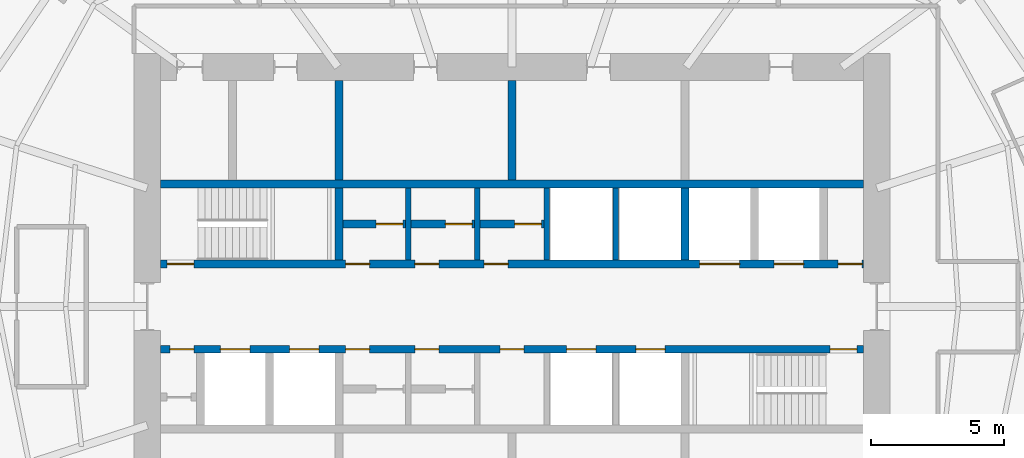
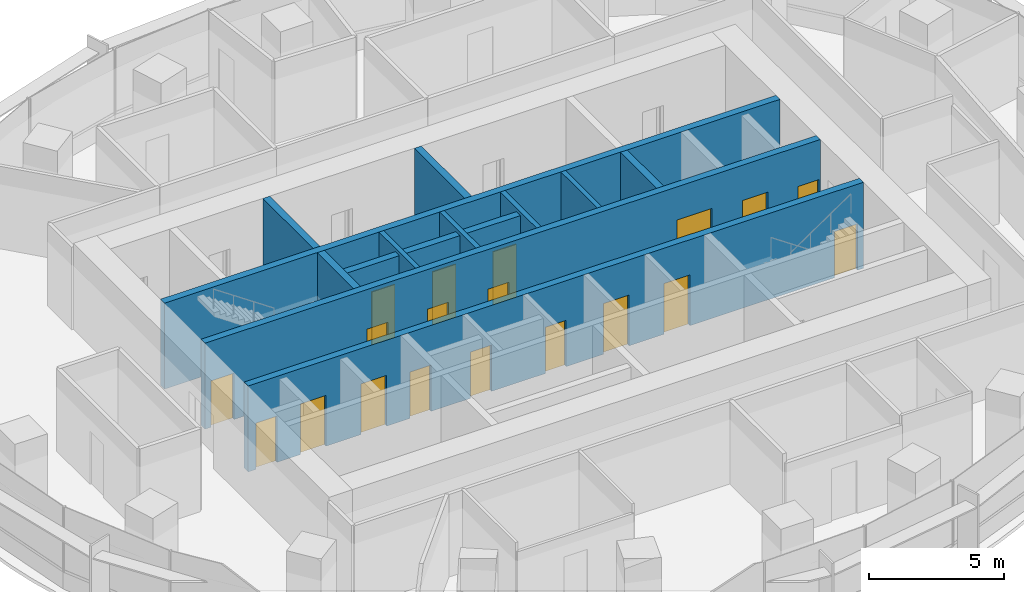
# One storey, part 11 of 15: 19 doors, 14 walls, 19 openings.
"""IFC4 building model written with IfcOpenShell, lengths in metres."""

from ifc_helpers import new_model, si_unit, direction, frame, frame_2d, origin, place, context, subcontext, project, spatial, rectangle, extrude, material, layer, layer_set, type_object, element, fill, save


model = new_model("IFC4")

# Units and contexts
model_context = context("Model", 3, precision=1e-05, world=origin(), true_north=direction((0.0, 1.0)))
body_context = subcontext(model_context, "Body", "Model", "MODEL_VIEW")
ifc_project = project(units=[si_unit("LENGTHUNIT", "METRE"), si_unit("AREAUNIT", "SQUARE_METRE"), si_unit("VOLUMEUNIT", "CUBIC_METRE"), si_unit("PLANEANGLEUNIT", "RADIAN"), si_unit("MASSUNIT", "GRAM", prefix="KILO")], contexts=[model_context])

# Site, building, storey
site_placement = place(None, origin())
site = spatial("IfcSite", under=ifc_project, at=site_placement, CompositionType="ELEMENT")
building_placement = place(site_placement, origin())
building = spatial("IfcBuilding", under=site, at=building_placement, Name="Marramba Exchange Tower", CompositionType="ELEMENT")
storey_placement = place(building_placement, frame((0.0, 0.0, 207.199951171875)))
storey = spatial("IfcBuildingStorey", under=building, at=storey_placement, Name="L50", CompositionType="ELEMENT", Elevation=207.199951171875)

# Walls
ifc_material_1 = material(Name="Concrete N50", Category="concrete")
ifc_layer_1 = layer(ifc_material_1, 0.199951171875)
ifc_layer_set_1 = layer_set([ifc_layer_1], Name="Core shaft wall 200")
wall_type_1 = type_object("IfcWallType", Name="Core shaft wall 200", PredefinedType="SHEAR", material=ifc_layer_set_1)
for number, where, z_axis, x_axis, name in (
    (1, (-3.89990234375, 1.75, 0.0), (0.0, 0.0, 1.0), (0.0, 1.0, 0.0), "Core wall SHN1 L50"),
    (2, (-1.300048828125, 1.75, 0.0), (0.0, 0.0, 1.0), (0.0, 1.0, 0.0), "Core wall SHN2 L50"),
    (3, (1.300048828125, 1.75, 0.0), (0.0, 0.0, 1.0), (0.0, 1.0, 0.0), "Core wall SHN3 L50"),
    (4, (3.89990234375, 1.75, 0.0), (0.0, 0.0, 1.0), (0.0, 1.0, 0.0), "Core wall SHN4 L50"),
):
    element("IfcWall", number, at=place(storey_placement, frame(where, z_axis=z_axis, x_axis=x_axis)), inside=storey, type_object=wall_type_1, Name=name, PredefinedType="SHEAR", context=body_context, shape_type="SweptSolid", body=[
        extrude(rectangle(XDim=2.699951171875, YDim=0.199951171875, at=frame_2d((1.35009765625, 0.0))), origin(), (0.0, 0.0, 1.0), 3.900146484375),
    ])

# Wall, openings, doors
ifc_layer_2 = layer(ifc_material_1, 0.300048828125)
ifc_layer_set_2 = layer_set([ifc_layer_2], Name="Core wall 300")
wall_type_2 = type_object("IfcWallType", Name="Core wall 300", PredefinedType="SHEAR", material=ifc_layer_set_2)
wall_1_placement = place(storey_placement, frame((-13.199951171875, 1.60009765625, 0.0), z_axis=(0.0, 0.0, 1.0), x_axis=(1.0, 0.0, 0.0)))
wall_1 = element("IfcWall", 5, at=wall_1_placement, inside=storey, type_object=wall_type_2, Name="Core wall LN L50", PredefinedType="SHEAR", context=body_context, shape_type="SweptSolid", body=[
    extrude(rectangle(XDim=26.39990234375, YDim=0.300048828125, at=frame_2d((13.199951171875, 0.0))), origin(), (0.0, 0.0, 1.0), 3.900146484375),
])
opening_1_placement = place(wall_1_placement, frame((0.25, 0.0, 0.0)))
opening_1 = element("IfcOpeningElement", 6, at=opening_1_placement, cuts=wall_1, Name="Opening D2", PredefinedType="OPENING", context=body_context, shape_type="SweptSolid", body=[
    extrude(rectangle(XDim=1.0, YDim=2.10009765625, at=frame_2d((0.5, 1.050048828125))), frame((0.0, 0.159912109375, 0.0), z_axis=(0.0, -1.0, 0.0), x_axis=(1.0, 0.0, 0.0)), (0.0, 0.0, 1.0), 0.320068359375),
])
opening_2_placement = place(wall_1_placement, frame((23.050048828125, 0.0, 0.0)))
opening_2 = element("IfcOpeningElement", 7, at=opening_2_placement, cuts=wall_1, Name="Opening LD1", PredefinedType="OPENING", context=body_context, shape_type="SweptSolid", body=[
    extrude(rectangle(XDim=1.10009765625, YDim=2.300048828125, at=frame_2d((0.550048828125, 1.14990234375))), frame((0.0, 0.159912109375, 0.0), z_axis=(0.0, -1.0, 0.0), x_axis=(1.0, 0.0, 0.0)), (0.0, 0.0, 1.0), 0.320068359375),
])
opening_3_placement = place(wall_1_placement, frame((20.25, 0.0, 0.0)))
opening_3 = element("IfcOpeningElement", 8, at=opening_3_placement, cuts=wall_1, Name="Opening LD3", PredefinedType="OPENING", context=body_context, shape_type="SweptSolid", body=[
    extrude(rectangle(XDim=1.5, YDim=2.39990234375, at=frame_2d((0.75, 1.199951171875))), frame((0.0, 0.159912109375, 0.0), z_axis=(0.0, -1.0, 0.0), x_axis=(1.0, 0.0, 0.0)), (0.0, 0.0, 1.0), 0.320068359375),
])
opening_4_placement = place(wall_1_placement, frame((6.949951171875, 0.0, 0.0)))
opening_4 = element("IfcOpeningElement", 9, at=opening_4_placement, cuts=wall_1, Name="Opening D5", PredefinedType="OPENING", context=body_context, shape_type="SweptSolid", body=[
    extrude(rectangle(XDim=0.89990234375, YDim=2.10009765625, at=frame_2d((0.449951171875, 1.050048828125))), frame((0.0, 0.159912109375, 0.0), z_axis=(0.0, -1.0, 0.0), x_axis=(1.0, 0.0, 0.0)), (0.0, 0.0, 1.0), 0.320068359375),
])
opening_5_placement = place(wall_1_placement, frame((9.550048828125, 0.0, 0.0)))
opening_5 = element("IfcOpeningElement", 10, at=opening_5_placement, cuts=wall_1, Name="Opening D5", PredefinedType="OPENING", context=body_context, shape_type="SweptSolid", body=[
    extrude(rectangle(XDim=0.89990234375, YDim=2.10009765625, at=frame_2d((0.449951171875, 1.050048828125))), frame((0.0, 0.159912109375, 0.0), z_axis=(0.0, -1.0, 0.0), x_axis=(1.0, 0.0, 0.0)), (0.0, 0.0, 1.0), 0.320068359375),
])
opening_6_placement = place(wall_1_placement, frame((12.14990234375, 0.0, 0.0)))
opening_6 = element("IfcOpeningElement", 11, at=opening_6_placement, cuts=wall_1, Name="Opening D5", PredefinedType="OPENING", context=body_context, shape_type="SweptSolid", body=[
    extrude(rectangle(XDim=0.89990234375, YDim=2.10009765625, at=frame_2d((0.449951171875, 1.050048828125))), frame((0.0, 0.159912109375, 0.0), z_axis=(0.0, -1.0, 0.0), x_axis=(1.0, 0.0, 0.0)), (0.0, 0.0, 1.0), 0.320068359375),
])
opening_7_placement = place(wall_1_placement, frame((25.449951171875, 0.0, 0.0)))
opening_7 = element("IfcOpeningElement", 12, at=opening_7_placement, cuts=wall_1, Name="Opening D5", PredefinedType="OPENING", context=body_context, shape_type="SweptSolid", body=[
    extrude(rectangle(XDim=0.89990234375, YDim=2.10009765625, at=frame_2d((0.449951171875, 1.050048828125))), frame((0.0, 0.159912109375, 0.0), z_axis=(0.0, -1.0, 0.0), x_axis=(1.0, 0.0, 0.0)), (0.0, 0.0, 1.0), 0.320068359375),
])
ifc_material_2 = material(Name="Steel-framed door", Category="steel")
door_type_1 = type_object("IfcDoorType", Name="Goods lift landing door 1500x2400", OperationType="SLIDING_TO_LEFT", PredefinedType="DOOR", material=ifc_material_2)
door_1_placement = place(opening_3_placement, origin())
door_1 = element("IfcDoor", 13, at=door_1_placement, inside=storey, type_object=door_type_1, Name="GL1 landing door L50", OperationType="SLIDING_TO_LEFT", OverallHeight=2.39990234375, OverallWidth=1.5, PredefinedType="DOOR", context=body_context, shape_type="SweptSolid", body=[
    extrude(rectangle(XDim=1.5, YDim=2.39990234375, at=frame_2d((0.75, 1.199951171875))), frame((0.0, 0.02490234375, 0.0), z_axis=(0.0, -1.0, 0.0), x_axis=(1.0, 0.0, 0.0)), (0.0, 0.0, 1.0), 0.050048828125),
])
fill(opening_3, door_1)
door_type_2 = type_object("IfcDoorType", Name="Lift landing door 1100x2300", OperationType="SLIDING_TO_LEFT", PredefinedType="DOOR", material=ifc_material_2)
door_2_placement = place(opening_2_placement, origin())
door_2 = element("IfcDoor", 14, at=door_2_placement, inside=storey, type_object=door_type_2, Name="LC3 landing door L50", OperationType="SLIDING_TO_LEFT", OverallHeight=2.300048828125, OverallWidth=1.10009765625, PredefinedType="DOOR", context=body_context, shape_type="SweptSolid", body=[
    extrude(rectangle(XDim=1.10009765625, YDim=2.300048828125, at=frame_2d((0.550048828125, 1.14990234375))), frame((0.0, 0.02490234375, 0.0), z_axis=(0.0, -1.0, 0.0), x_axis=(1.0, 0.0, 0.0)), (0.0, 0.0, 1.0), 0.050048828125),
])
fill(opening_2, door_2)
door_type_3 = type_object("IfcDoorType", Name="Service door 900x2100", OperationType="SINGLE_SWING_LEFT", PredefinedType="DOOR", material=ifc_material_2)
door_3_placement = place(opening_4_placement, origin())
door_3 = element("IfcDoor", 15, at=door_3_placement, inside=storey, type_object=door_type_3, Name="D5 switch room L50", OperationType="SINGLE_SWING_LEFT", OverallHeight=2.10009765625, OverallWidth=0.89990234375, PredefinedType="DOOR", context=body_context, shape_type="SweptSolid", body=[
    extrude(rectangle(XDim=0.89990234375, YDim=2.10009765625, at=frame_2d((0.449951171875, 1.050048828125))), frame((0.0, 0.02490234375, 0.0), z_axis=(0.0, -1.0, 0.0), x_axis=(1.0, 0.0, 0.0)), (0.0, 0.0, 1.0), 0.050048828125),
])
fill(opening_4, door_3)
door_4_placement = place(opening_5_placement, origin())
door_4 = element("IfcDoor", 16, at=door_4_placement, inside=storey, type_object=door_type_3, Name="D5 cleaner store L50", OperationType="SINGLE_SWING_LEFT", OverallHeight=2.10009765625, OverallWidth=0.89990234375, PredefinedType="DOOR", context=body_context, shape_type="SweptSolid", body=[
    extrude(rectangle(XDim=0.89990234375, YDim=2.10009765625, at=frame_2d((0.449951171875, 1.050048828125))), frame((0.0, 0.02490234375, 0.0), z_axis=(0.0, -1.0, 0.0), x_axis=(1.0, 0.0, 0.0)), (0.0, 0.0, 1.0), 0.050048828125),
])
fill(opening_5, door_4)
door_5_placement = place(opening_6_placement, origin())
door_5 = element("IfcDoor", 17, at=door_5_placement, inside=storey, type_object=door_type_3, Name="D5 general store L50", OperationType="SINGLE_SWING_LEFT", OverallHeight=2.10009765625, OverallWidth=0.89990234375, PredefinedType="DOOR", context=body_context, shape_type="SweptSolid", body=[
    extrude(rectangle(XDim=0.89990234375, YDim=2.10009765625, at=frame_2d((0.449951171875, 1.050048828125))), frame((0.0, 0.02490234375, 0.0), z_axis=(0.0, -1.0, 0.0), x_axis=(1.0, 0.0, 0.0)), (0.0, 0.0, 1.0), 0.050048828125),
])
fill(opening_6, door_5)
door_6_placement = place(opening_7_placement, origin())
door_6 = element("IfcDoor", 18, at=door_6_placement, inside=storey, type_object=door_type_3, Name="D5 riser L50", OperationType="SINGLE_SWING_RIGHT", OverallHeight=2.10009765625, OverallWidth=0.89990234375, PredefinedType="DOOR", context=body_context, shape_type="SweptSolid", body=[
    extrude(rectangle(XDim=0.89990234375, YDim=2.10009765625, at=frame_2d((0.449951171875, 1.050048828125))), frame((0.0, 0.02490234375, 0.0), z_axis=(0.0, -1.0, 0.0), x_axis=(1.0, 0.0, 0.0)), (0.0, 0.0, 1.0), 0.050048828125),
])
fill(opening_7, door_6)
door_type_4 = type_object("IfcDoorType", Name="Stair door 1000x2100", OperationType="SINGLE_SWING_LEFT", PredefinedType="DOOR", material=ifc_material_2)
door_7_placement = place(opening_1_placement, origin())
door_7 = element("IfcDoor", 19, at=door_7_placement, inside=storey, type_object=door_type_4, Name="D2 stair ST1 L50", OperationType="SINGLE_SWING_LEFT", OverallHeight=2.10009765625, OverallWidth=1.0, PredefinedType="DOOR", context=body_context, shape_type="SweptSolid", body=[
    extrude(rectangle(XDim=1.0, YDim=2.10009765625, at=frame_2d((0.5, 1.050048828125))), frame((0.0, 0.02490234375, 0.0), z_axis=(0.0, -1.0, 0.0), x_axis=(1.0, 0.0, 0.0)), (0.0, 0.0, 1.0), 0.050048828125),
])
fill(opening_1, door_7)

wall_2_placement = place(storey_placement, frame((-13.199951171875, -1.60009765625, 0.0), z_axis=(0.0, 0.0, 1.0), x_axis=(1.0, 0.0, 0.0)))
wall_2 = element("IfcWall", 20, at=wall_2_placement, inside=storey, type_object=wall_type_2, Name="Core wall LS L50", PredefinedType="SHEAR", context=body_context, shape_type="SweptSolid", body=[
    extrude(rectangle(XDim=26.39990234375, YDim=0.300048828125, at=frame_2d((13.199951171875, 0.0))), origin(), (0.0, 0.0, 1.0), 3.900146484375),
])
opening_8_placement = place(wall_2_placement, frame((25.14990234375, 0.0, 0.0)))
opening_8 = element("IfcOpeningElement", 21, at=opening_8_placement, cuts=wall_2, Name="Opening D2", PredefinedType="OPENING", context=body_context, shape_type="SweptSolid", body=[
    extrude(rectangle(XDim=1.0, YDim=2.10009765625, at=frame_2d((0.5, 1.050048828125))), frame((0.0, 0.159912109375, 0.0), z_axis=(0.0, -1.0, 0.0), x_axis=(1.0, 0.0, 0.0)), (0.0, 0.0, 1.0), 0.320068359375),
])
opening_9_placement = place(wall_2_placement, frame((6.949951171875, 0.0, 0.0)))
opening_9 = element("IfcOpeningElement", 22, at=opening_9_placement, cuts=wall_2, Name="Opening D5", PredefinedType="OPENING", context=body_context, shape_type="SweptSolid", body=[
    extrude(rectangle(XDim=0.89990234375, YDim=2.10009765625, at=frame_2d((0.449951171875, 1.050048828125))), frame((0.0, 0.159912109375, 0.0), z_axis=(0.0, -1.0, 0.0), x_axis=(1.0, 0.0, 0.0)), (0.0, 0.0, 1.0), 0.320068359375),
])
opening_10_placement = place(wall_2_placement, frame((9.550048828125, 0.0, 0.0)))
opening_10 = element("IfcOpeningElement", 23, at=opening_10_placement, cuts=wall_2, Name="Opening D5", PredefinedType="OPENING", context=body_context, shape_type="SweptSolid", body=[
    extrude(rectangle(XDim=0.89990234375, YDim=2.10009765625, at=frame_2d((0.449951171875, 1.050048828125))), frame((0.0, 0.159912109375, 0.0), z_axis=(0.0, -1.0, 0.0), x_axis=(1.0, 0.0, 0.0)), (0.0, 0.0, 1.0), 0.320068359375),
])
opening_11_placement = place(wall_2_placement, frame((12.75, 0.0, 0.0)))
opening_11 = element("IfcOpeningElement", 24, at=opening_11_placement, cuts=wall_2, Name="Opening D5", PredefinedType="OPENING", context=body_context, shape_type="SweptSolid", body=[
    extrude(rectangle(XDim=0.89990234375, YDim=2.10009765625, at=frame_2d((0.449951171875, 1.050048828125))), frame((0.0, 0.159912109375, 0.0), z_axis=(0.0, -1.0, 0.0), x_axis=(1.0, 0.0, 0.0)), (0.0, 0.0, 1.0), 0.320068359375),
])
opening_12_placement = place(wall_2_placement, frame((15.25, 0.0, 0.0)))
opening_12 = element("IfcOpeningElement", 25, at=opening_12_placement, cuts=wall_2, Name="Opening LD2", PredefinedType="OPENING", context=body_context, shape_type="SweptSolid", body=[
    extrude(rectangle(XDim=1.10009765625, YDim=2.300048828125, at=frame_2d((0.550048828125, 1.14990234375))), frame((0.0, 0.159912109375, 0.0), z_axis=(0.0, -1.0, 0.0), x_axis=(1.0, 0.0, 0.0)), (0.0, 0.0, 1.0), 0.320068359375),
])
opening_13_placement = place(wall_2_placement, frame((17.85009765625, 0.0, 0.0)))
opening_13 = element("IfcOpeningElement", 26, at=opening_13_placement, cuts=wall_2, Name="Opening LD2", PredefinedType="OPENING", context=body_context, shape_type="SweptSolid", body=[
    extrude(rectangle(XDim=1.10009765625, YDim=2.300048828125, at=frame_2d((0.550048828125, 1.14990234375))), frame((0.0, 0.159912109375, 0.0), z_axis=(0.0, -1.0, 0.0), x_axis=(1.0, 0.0, 0.0)), (0.0, 0.0, 1.0), 0.320068359375),
])
opening_14_placement = place(wall_2_placement, frame((4.85009765625, 0.0, 0.0)))
opening_14 = element("IfcOpeningElement", 27, at=opening_14_placement, cuts=wall_2, Name="Opening LD1", PredefinedType="OPENING", context=body_context, shape_type="SweptSolid", body=[
    extrude(rectangle(XDim=1.10009765625, YDim=2.300048828125, at=frame_2d((0.550048828125, 1.14990234375))), frame((0.0, 0.159912109375, 0.0), z_axis=(0.0, -1.0, 0.0), x_axis=(1.0, 0.0, 0.0)), (0.0, 0.0, 1.0), 0.320068359375),
])
opening_15_placement = place(wall_2_placement, frame((2.25, 0.0, 0.0)))
opening_15 = element("IfcOpeningElement", 28, at=opening_15_placement, cuts=wall_2, Name="Opening LD1", PredefinedType="OPENING", context=body_context, shape_type="SweptSolid", body=[
    extrude(rectangle(XDim=1.10009765625, YDim=2.300048828125, at=frame_2d((0.550048828125, 1.14990234375))), frame((0.0, 0.159912109375, 0.0), z_axis=(0.0, -1.0, 0.0), x_axis=(1.0, 0.0, 0.0)), (0.0, 0.0, 1.0), 0.320068359375),
])
opening_16_placement = place(wall_2_placement, frame((0.35009765625, 0.0, 0.0)))
opening_16 = element("IfcOpeningElement", 29, at=opening_16_placement, cuts=wall_2, Name="Opening D5", PredefinedType="OPENING", context=body_context, shape_type="SweptSolid", body=[
    extrude(rectangle(XDim=0.89990234375, YDim=2.10009765625, at=frame_2d((0.449951171875, 1.050048828125))), frame((0.0, 0.159912109375, 0.0), z_axis=(0.0, -1.0, 0.0), x_axis=(1.0, 0.0, 0.0)), (0.0, 0.0, 1.0), 0.320068359375),
])
door_type_5 = type_object("IfcDoorType", Name="Emergency lift landing door 1100x2300", OperationType="SLIDING_TO_LEFT", PredefinedType="DOOR", material=ifc_material_2)
door_8_placement = place(opening_12_placement, frame((1.10009765625, 0.0, 0.0), z_axis=(0.0, 0.0, 1.0), x_axis=(-1.0, 0.0, 0.0)))
door_8 = element("IfcDoor", 30, at=door_8_placement, inside=storey, type_object=door_type_5, Name="FL1 landing door L50", OperationType="SLIDING_TO_RIGHT", OverallHeight=2.300048828125, OverallWidth=1.10009765625, PredefinedType="DOOR", context=body_context, shape_type="SweptSolid", body=[
    extrude(rectangle(XDim=1.10009765625, YDim=2.300048828125, at=frame_2d((0.550048828125, 1.14990234375))), frame((0.0, 0.025146484375, 0.0), z_axis=(0.0, -1.0, 0.0), x_axis=(1.0, 0.0, 0.0)), (0.0, 0.0, 1.0), 0.050048828125),
])
fill(opening_12, door_8)
door_9_placement = place(opening_13_placement, frame((1.10009765625, 0.0, 0.0), z_axis=(0.0, 0.0, 1.0), x_axis=(-1.0, 0.0, 0.0)))
door_9 = element("IfcDoor", 31, at=door_9_placement, inside=storey, type_object=door_type_5, Name="FL2 landing door L50", OperationType="SLIDING_TO_LEFT", OverallHeight=2.300048828125, OverallWidth=1.10009765625, PredefinedType="DOOR", context=body_context, shape_type="SweptSolid", body=[
    extrude(rectangle(XDim=1.10009765625, YDim=2.300048828125, at=frame_2d((0.550048828125, 1.14990234375))), frame((0.0, 0.025146484375, 0.0), z_axis=(0.0, -1.0, 0.0), x_axis=(1.0, 0.0, 0.0)), (0.0, 0.0, 1.0), 0.050048828125),
])
fill(opening_13, door_9)
door_10_placement = place(opening_14_placement, frame((1.10009765625, 0.0, 0.0), z_axis=(0.0, 0.0, 1.0), x_axis=(-1.0, 0.0, 0.0)))
door_10 = element("IfcDoor", 32, at=door_10_placement, inside=storey, type_object=door_type_2, Name="LC1 landing door L50", OperationType="SLIDING_TO_RIGHT", OverallHeight=2.300048828125, OverallWidth=1.10009765625, PredefinedType="DOOR", context=body_context, shape_type="SweptSolid", body=[
    extrude(rectangle(XDim=1.10009765625, YDim=2.300048828125, at=frame_2d((0.550048828125, 1.14990234375))), frame((0.0, 0.025146484375, 0.0), z_axis=(0.0, -1.0, 0.0), x_axis=(1.0, 0.0, 0.0)), (0.0, 0.0, 1.0), 0.050048828125),
])
fill(opening_14, door_10)
door_11_placement = place(opening_15_placement, frame((1.10009765625, 0.0, 0.0), z_axis=(0.0, 0.0, 1.0), x_axis=(-1.0, 0.0, 0.0)))
door_11 = element("IfcDoor", 33, at=door_11_placement, inside=storey, type_object=door_type_2, Name="LC2 landing door L50", OperationType="SLIDING_TO_LEFT", OverallHeight=2.300048828125, OverallWidth=1.10009765625, PredefinedType="DOOR", context=body_context, shape_type="SweptSolid", body=[
    extrude(rectangle(XDim=1.10009765625, YDim=2.300048828125, at=frame_2d((0.550048828125, 1.14990234375))), frame((0.0, 0.025146484375, 0.0), z_axis=(0.0, -1.0, 0.0), x_axis=(1.0, 0.0, 0.0)), (0.0, 0.0, 1.0), 0.050048828125),
])
fill(opening_15, door_11)
door_12_placement = place(opening_9_placement, frame((0.89990234375, 0.0, 0.0), z_axis=(0.0, 0.0, 1.0), x_axis=(-1.0, 0.0, 0.0)))
door_12 = element("IfcDoor", 34, at=door_12_placement, inside=storey, type_object=door_type_3, Name="D5 linen store n1 L50", OperationType="SINGLE_SWING_RIGHT", OverallHeight=2.10009765625, OverallWidth=0.89990234375, PredefinedType="DOOR", context=body_context, shape_type="SweptSolid", body=[
    extrude(rectangle(XDim=0.89990234375, YDim=2.10009765625, at=frame_2d((0.449951171875, 1.050048828125))), frame((0.0, 0.025146484375, 0.0), z_axis=(0.0, -1.0, 0.0), x_axis=(1.0, 0.0, 0.0)), (0.0, 0.0, 1.0), 0.050048828125),
])
fill(opening_9, door_12)
door_13_placement = place(opening_10_placement, frame((0.89990234375, 0.0, 0.0), z_axis=(0.0, 0.0, 1.0), x_axis=(-1.0, 0.0, 0.0)))
door_13 = element("IfcDoor", 35, at=door_13_placement, inside=storey, type_object=door_type_3, Name="D5 store room n1 L50", OperationType="SINGLE_SWING_RIGHT", OverallHeight=2.10009765625, OverallWidth=0.89990234375, PredefinedType="DOOR", context=body_context, shape_type="SweptSolid", body=[
    extrude(rectangle(XDim=0.89990234375, YDim=2.10009765625, at=frame_2d((0.449951171875, 1.050048828125))), frame((0.0, 0.025146484375, 0.0), z_axis=(0.0, -1.0, 0.0), x_axis=(1.0, 0.0, 0.0)), (0.0, 0.0, 1.0), 0.050048828125),
])
fill(opening_10, door_13)
door_14_placement = place(opening_11_placement, frame((0.89990234375, 0.0, 0.0), z_axis=(0.0, 0.0, 1.0), x_axis=(-1.0, 0.0, 0.0)))
door_14 = element("IfcDoor", 36, at=door_14_placement, inside=storey, type_object=door_type_3, Name="D5 vending room n2 L50", OperationType="SINGLE_SWING_RIGHT", OverallHeight=2.10009765625, OverallWidth=0.89990234375, PredefinedType="DOOR", context=body_context, shape_type="SweptSolid", body=[
    extrude(rectangle(XDim=0.89990234375, YDim=2.10009765625, at=frame_2d((0.449951171875, 1.050048828125))), frame((0.0, 0.025146484375, 0.0), z_axis=(0.0, -1.0, 0.0), x_axis=(1.0, 0.0, 0.0)), (0.0, 0.0, 1.0), 0.050048828125),
])
fill(opening_11, door_14)
door_15_placement = place(opening_16_placement, frame((0.89990234375, 0.0, 0.0), z_axis=(0.0, 0.0, 1.0), x_axis=(-1.0, 0.0, 0.0)))
door_15 = element("IfcDoor", 37, at=door_15_placement, inside=storey, type_object=door_type_3, Name="D5 electrical riser L50", OperationType="SINGLE_SWING_LEFT", OverallHeight=2.10009765625, OverallWidth=0.89990234375, PredefinedType="DOOR", context=body_context, shape_type="SweptSolid", body=[
    extrude(rectangle(XDim=0.89990234375, YDim=2.10009765625, at=frame_2d((0.449951171875, 1.050048828125))), frame((0.0, 0.025146484375, 0.0), z_axis=(0.0, -1.0, 0.0), x_axis=(1.0, 0.0, 0.0)), (0.0, 0.0, 1.0), 0.050048828125),
])
fill(opening_16, door_15)
door_16_placement = place(opening_8_placement, frame((1.0, 0.0, 0.0), z_axis=(0.0, 0.0, 1.0), x_axis=(-1.0, 0.0, 0.0)))
door_16 = element("IfcDoor", 38, at=door_16_placement, inside=storey, type_object=door_type_4, Name="D2 stair ST2 L50", OperationType="SINGLE_SWING_LEFT", OverallHeight=2.10009765625, OverallWidth=1.0, PredefinedType="DOOR", context=body_context, shape_type="SweptSolid", body=[
    extrude(rectangle(XDim=1.0, YDim=2.10009765625, at=frame_2d((0.5, 1.050048828125))), frame((0.0, 0.025146484375, 0.0), z_axis=(0.0, -1.0, 0.0), x_axis=(1.0, 0.0, 0.0)), (0.0, 0.0, 1.0), 0.050048828125),
])
fill(opening_8, door_16)

# Walls
wall_3_placement = place(storey_placement, frame((-13.199951171875, 4.60009765625, 0.0), z_axis=(0.0, 0.0, 1.0), x_axis=(1.0, 0.0, 0.0)))
element("IfcWall", 39, at=wall_3_placement, inside=storey, type_object=wall_type_2, Name="Core wall BN L50", PredefinedType="SHEAR", context=body_context, shape_type="SweptSolid", body=[
    extrude(rectangle(XDim=26.39990234375, YDim=0.300048828125, at=frame_2d((13.199951171875, 0.0))), origin(), (0.0, 0.0, 1.0), 3.900146484375),
])
wall_4_placement = place(storey_placement, frame((-6.5, 1.75, 0.0), z_axis=(0.0, 0.0, 1.0), x_axis=(0.0, 1.0, 0.0)))
element("IfcWall", 40, at=wall_4_placement, inside=storey, type_object=wall_type_2, Name="Core wall X0Na L50", PredefinedType="SHEAR", context=body_context, shape_type="SweptSolid", body=[
    extrude(rectangle(XDim=2.699951171875, YDim=0.300048828125, at=frame_2d((1.35009765625, 0.0))), origin(), (0.0, 0.0, 1.0), 3.900146484375),
])
wall_5_placement = place(storey_placement, frame((-6.5, 4.75, 0.0), z_axis=(0.0, 0.0, 1.0), x_axis=(0.0, 1.0, 0.0)))
element("IfcWall", 41, at=wall_5_placement, inside=storey, type_object=wall_type_2, Name="Core wall X0Nb L50", PredefinedType="SHEAR", context=body_context, shape_type="SweptSolid", body=[
    extrude(rectangle(XDim=3.75, YDim=0.300048828125, at=frame_2d((1.875, 0.0))), origin(), (0.0, 0.0, 1.0), 3.900146484375),
])
wall_6_placement = place(storey_placement, frame((6.5, 1.75, 0.0), z_axis=(0.0, 0.0, 1.0), x_axis=(0.0, 1.0, 0.0)))
element("IfcWall", 42, at=wall_6_placement, inside=storey, type_object=wall_type_2, Name="Core wall X1Na L50", PredefinedType="SHEAR", context=body_context, shape_type="SweptSolid", body=[
    extrude(rectangle(XDim=2.699951171875, YDim=0.300048828125, at=frame_2d((1.35009765625, 0.0))), origin(), (0.0, 0.0, 1.0), 3.900146484375),
])
wall_7_placement = place(storey_placement, frame((0.0, 4.75, 0.0), z_axis=(0.0, 0.0, 1.0), x_axis=(0.0, 1.0, 0.0)))
element("IfcWall", 43, at=wall_7_placement, inside=storey, type_object=wall_type_2, Name="Core wall MN L50", PredefinedType="SHEAR", context=body_context, shape_type="SweptSolid", body=[
    extrude(rectangle(XDim=3.75, YDim=0.300048828125, at=frame_2d((1.875, 0.0))), origin(), (0.0, 0.0, 1.0), 3.900146484375),
])

# Wall, opening, door
ifc_material_3 = material(Name="Plasterboard on steel studs, insulated, unrated", Category="steel")
ifc_layer_3 = layer(ifc_material_3, 0.300048828125)
ifc_layer_set_3 = layer_set([ifc_layer_3], Name="Store partition 300")
wall_type_3 = type_object("IfcWallType", Name="Store partition 300", PredefinedType="PARTITIONING", material=ifc_layer_set_3)
wall_8_placement = place(storey_placement, frame((-6.35009765625, 3.10009765625, 0.0), z_axis=(0.0, 0.0, 1.0), x_axis=(1.0, 0.0, 0.0)))
wall_8 = element("IfcWall", 44, at=wall_8_placement, inside=storey, type_object=wall_type_3, Name="Store partition L50 N1", PredefinedType="PARTITIONING", context=body_context, shape_type="SweptSolid", body=[
    extrude(rectangle(XDim=2.35009765625, YDim=0.300048828125, at=frame_2d((1.175048828125, 0.0))), origin(), (0.0, 0.0, 1.0), 3.739990234375),
])
opening_17_placement = place(wall_8_placement, frame((1.25, 0.0, 0.0)))
opening_17 = element("IfcOpeningElement", 45, at=opening_17_placement, cuts=wall_8, Name="Opening D9", PredefinedType="OPENING", context=body_context, shape_type="SweptSolid", body=[
    extrude(rectangle(XDim=1.0, YDim=2.39990234375, at=frame_2d((0.5, 1.199951171875))), frame((0.0, 0.159912109375, 0.0), z_axis=(0.0, -1.0, 0.0), x_axis=(1.0, 0.0, 0.0)), (0.0, 0.0, 1.0), 0.320068359375),
])
ifc_material_4 = material(Name="Timber door", Category="wood")
door_type_6 = type_object("IfcDoorType", Name="Room door 1000x2400", OperationType="SINGLE_SWING_LEFT", PredefinedType="DOOR", material=ifc_material_4)
door_17_placement = place(opening_17_placement, origin())
door_17 = element("IfcDoor", 46, at=door_17_placement, inside=storey, type_object=door_type_6, Name="D9 store room N1 L50", OperationType="SINGLE_SWING_RIGHT", OverallHeight=2.39990234375, OverallWidth=1.0, PredefinedType="DOOR", context=body_context, shape_type="SweptSolid", body=[
    extrude(rectangle(XDim=1.0, YDim=2.39990234375, at=frame_2d((0.5, 1.199951171875))), frame((0.0, 0.02490234375, 0.0), z_axis=(0.0, -1.0, 0.0), x_axis=(1.0, 0.0, 0.0)), (0.0, 0.0, 1.0), 0.050048828125),
])
fill(opening_17, door_17)

wall_9_placement = place(storey_placement, frame((-3.800048828125, 3.10009765625, 0.0), z_axis=(0.0, 0.0, 1.0), x_axis=(1.0, 0.0, 0.0)))
wall_9 = element("IfcWall", 47, at=wall_9_placement, inside=storey, type_object=wall_type_3, Name="Store partition L50 N2", PredefinedType="PARTITIONING", context=body_context, shape_type="SweptSolid", body=[
    extrude(rectangle(XDim=2.400146484375, YDim=0.300048828125, at=frame_2d((1.2001953125, 0.0))), origin(), (0.0, 0.0, 1.0), 3.739990234375),
])
opening_18_placement = place(wall_9_placement, frame((1.300048828125, 0.0, 0.0)))
opening_18 = element("IfcOpeningElement", 48, at=opening_18_placement, cuts=wall_9, Name="Opening D9", PredefinedType="OPENING", context=body_context, shape_type="SweptSolid", body=[
    extrude(rectangle(XDim=1.0, YDim=2.39990234375, at=frame_2d((0.5, 1.199951171875))), frame((0.0, 0.159912109375, 0.0), z_axis=(0.0, -1.0, 0.0), x_axis=(1.0, 0.0, 0.0)), (0.0, 0.0, 1.0), 0.320068359375),
])
door_18_placement = place(opening_18_placement, origin())
door_18 = element("IfcDoor", 49, at=door_18_placement, inside=storey, type_object=door_type_6, Name="D9 store room N2 L50", OperationType="SINGLE_SWING_RIGHT", OverallHeight=2.39990234375, OverallWidth=1.0, PredefinedType="DOOR", context=body_context, shape_type="SweptSolid", body=[
    extrude(rectangle(XDim=1.0, YDim=2.39990234375, at=frame_2d((0.5, 1.199951171875))), frame((0.0, 0.02490234375, 0.0), z_axis=(0.0, -1.0, 0.0), x_axis=(1.0, 0.0, 0.0)), (0.0, 0.0, 1.0), 0.050048828125),
])
fill(opening_18, door_18)

wall_10_placement = place(storey_placement, frame((-1.199951171875, 3.10009765625, 0.0), z_axis=(0.0, 0.0, 1.0), x_axis=(1.0, 0.0, 0.0)))
wall_10 = element("IfcWall", 50, at=wall_10_placement, inside=storey, type_object=wall_type_3, Name="Store partition L50 N3", PredefinedType="PARTITIONING", context=body_context, shape_type="SweptSolid", body=[
    extrude(rectangle(XDim=2.39990234375, YDim=0.300048828125, at=frame_2d((1.199951171875, 0.0))), origin(), (0.0, 0.0, 1.0), 3.739990234375),
])
opening_19_placement = place(wall_10_placement, frame((1.300048828125, 0.0, 0.0)))
opening_19 = element("IfcOpeningElement", 51, at=opening_19_placement, cuts=wall_10, Name="Opening D9", PredefinedType="OPENING", context=body_context, shape_type="SweptSolid", body=[
    extrude(rectangle(XDim=1.0, YDim=2.39990234375, at=frame_2d((0.5, 1.199951171875))), frame((0.0, 0.159912109375, 0.0), z_axis=(0.0, -1.0, 0.0), x_axis=(1.0, 0.0, 0.0)), (0.0, 0.0, 1.0), 0.320068359375),
])
door_19_placement = place(opening_19_placement, origin())
door_19 = element("IfcDoor", 52, at=door_19_placement, inside=storey, type_object=door_type_6, Name="D9 store room N3 L50", OperationType="SINGLE_SWING_RIGHT", OverallHeight=2.39990234375, OverallWidth=1.0, PredefinedType="DOOR", context=body_context, shape_type="SweptSolid", body=[
    extrude(rectangle(XDim=1.0, YDim=2.39990234375, at=frame_2d((0.5, 1.199951171875))), frame((0.0, 0.02490234375, 0.0), z_axis=(0.0, -1.0, 0.0), x_axis=(1.0, 0.0, 0.0)), (0.0, 0.0, 1.0), 0.050048828125),
])
fill(opening_19, door_19)

save(model, "model.ifc")
